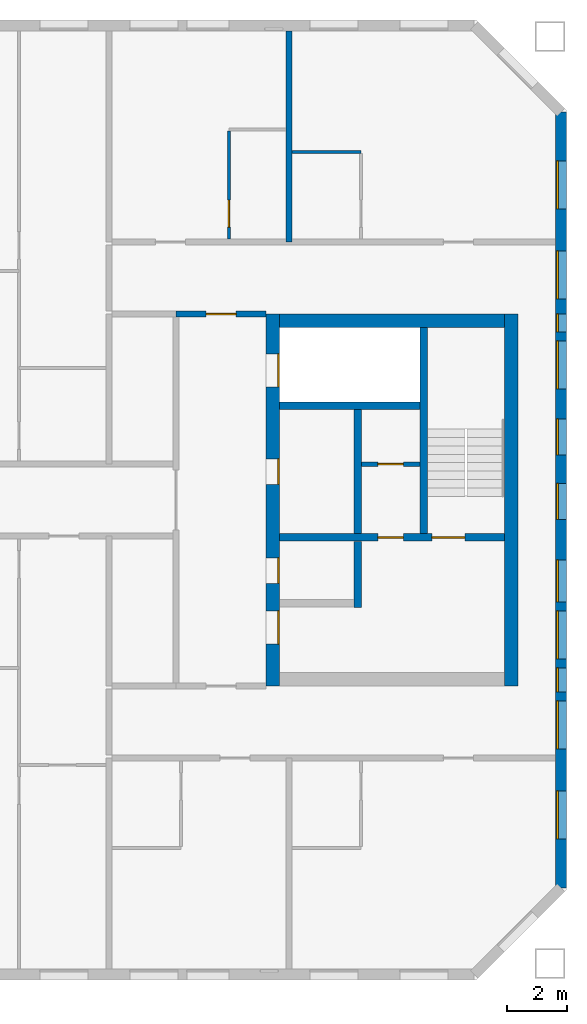
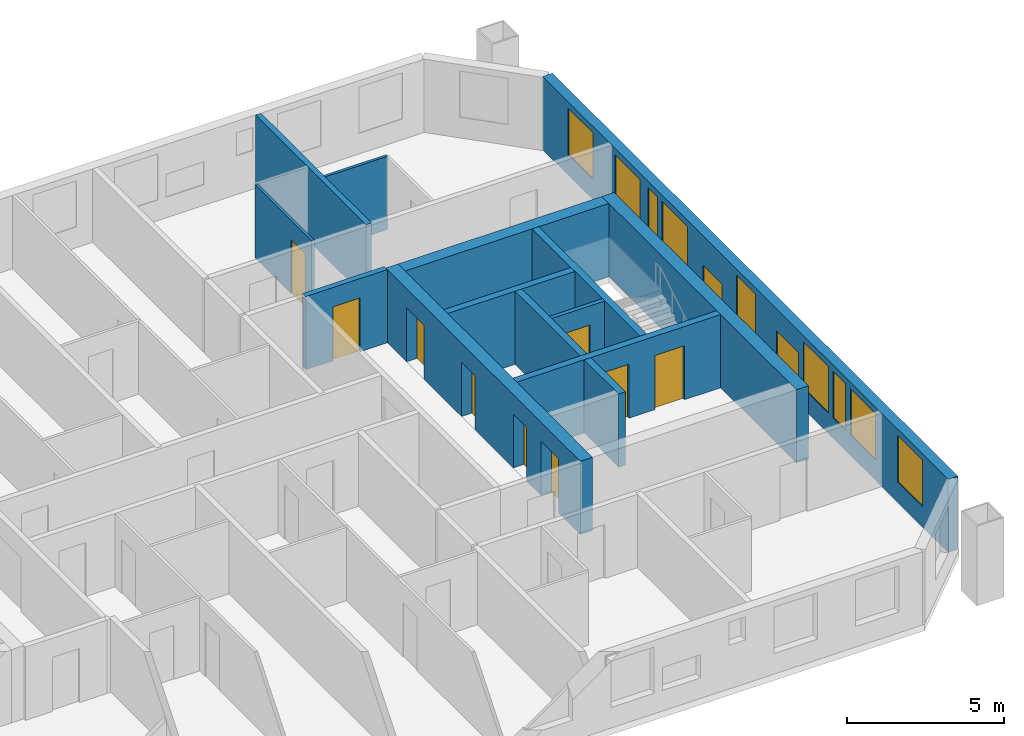
# One storey, part 13 of 16: 14 walls, 11 windows, 9 doors, 20 openings.
"""IFC4 building model written with IfcOpenShell, lengths in metres."""

import ifcopenshell
import ifcopenshell.guid

model = None  # the IFC model being written
_history = None  # IfcOwnerHistory: only IFC2X3 demands one
_inside = {}  # id of a spatial element -> (the spatial element, [elements in it])
_under = {}  # id of a project, library or spatial element -> (it, [spatial elements below it])
_declared = {}  # id of a project -> (the project, [libraries it declares])
_typed = {}  # id of a type object -> (the type object, [elements of that type])
_made_of = {}  # id of a material, layer set ... -> (it, [elements and type objects made of it])


def new_model(schema):
    """Start an empty IFC model of exactly this schema.

    Asked for "IFC4X3", IfcOpenShell would pick the latest addendum, in which some entities
    have other attributes; the version numbers below select the first issue.
    IFC2X3 requires an IfcOwnerHistory on every rooted entity: one is made here for all.
    """
    global model, _history
    if schema == "IFC4X3":
        model = ifcopenshell.file(schema_version=(4, 3, 0, 0))
    else:
        model = ifcopenshell.file(schema=schema)
    _inside.clear()
    _under.clear()
    _declared.clear()
    _typed.clear()
    _made_of.clear()
    _history = None
    if model.schema == "IFC2X3":
        org = make("IfcOrganization", Name="unknown")
        user = make(
            "IfcPersonAndOrganization",
            ThePerson=make("IfcPerson", FamilyName="unknown"),
            TheOrganization=org,
        )
        app = make(
            "IfcApplication",
            ApplicationDeveloper=org,
            Version="unknown",
            ApplicationFullName="unknown",
            ApplicationIdentifier="unknown",
        )
        _history = make(
            "IfcOwnerHistory",
            OwningUser=user,
            OwningApplication=app,
            ChangeAction="ADDED",
            CreationDate=0,
        )
    return model


def make(cls, **values):
    """One entity of the class cls with the attributes given. An attribute that is None is left unset."""
    return model.create_entity(
        cls, **{name: value for name, value in values.items() if value is not None}
    )


def rooted(cls, **values):
    """An entity with a GlobalId (a new one), such as an element, a storey or a relation."""
    return make(cls, GlobalId=ifcopenshell.guid.new(), OwnerHistory=_history, **values)


def si_unit(unit_type, name, prefix=None):
    """IfcSIUnit, for example si_unit("LENGTHUNIT", "METRE", prefix="MILLI")."""
    return make("IfcSIUnit", UnitType=unit_type, Prefix=prefix, Name=name)


def assignment(units):
    """IfcUnitAssignment: the units of a project."""
    return None if units is None else make("IfcUnitAssignment", Units=units)


def point(xyz):
    """IfcCartesianPoint."""
    return None if xyz is None else make("IfcCartesianPoint", Coordinates=xyz)


def direction(xyz):
    """IfcDirection."""
    return None if xyz is None else make("IfcDirection", DirectionRatios=xyz)


def frame(location, z_axis=None, x_axis=None):
    """IfcAxis2Placement3D, a coordinate frame: its origin and axes. An axis left out is left unset."""
    return make(
        "IfcAxis2Placement3D",
        Location=point(location),
        Axis=direction(z_axis),
        RefDirection=direction(x_axis),
    )


def frame_2d(location, x_axis=None):
    """IfcAxis2Placement2D, a coordinate frame in the plane: its origin and x axis."""
    return make(
        "IfcAxis2Placement2D", Location=point(location), RefDirection=direction(x_axis)
    )


def origin():
    """The frame at (0, 0, 0) with its axes left unset."""
    return frame((0.0, 0.0, 0.0))


def place(relative_to, where):
    """IfcLocalPlacement: puts the frame where relative to a parent placement (None: the world)."""
    return make(
        "IfcLocalPlacement", PlacementRelTo=relative_to, RelativePlacement=where
    )


def context(
    kind, dimensions, precision=None, world=None, true_north=None, identifier=None
):
    """IfcGeometricRepresentationContext, for example the 3D "Model" context."""
    return make(
        "IfcGeometricRepresentationContext",
        ContextIdentifier=identifier,
        ContextType=kind,
        CoordinateSpaceDimension=dimensions,
        Precision=precision,
        WorldCoordinateSystem=world,
        TrueNorth=true_north,
    )


def subcontext(parent, identifier, kind, view, scale=None):
    """IfcGeometricRepresentationSubContext, for example "Body" below "Model"."""
    return make(
        "IfcGeometricRepresentationSubContext",
        ContextIdentifier=identifier,
        ContextType=kind,
        ParentContext=parent,
        TargetScale=scale,
        TargetView=view,
    )


def project(units=None, contexts=None):
    """IfcProject with its units and contexts."""
    return rooted(
        "IfcProject",
        Name="project",
        RepresentationContexts=contexts,
        UnitsInContext=assignment(units),
    )


def spatial(cls, under=None, at=None, **own):
    """A site, building, storey or space (cls), placed at a placement, below another one or the project."""
    s = rooted(cls, ObjectPlacement=at, **own)
    if under is not None:
        _under.setdefault(under.id(), (under, []))[1].append(s)
    return s


def profile(cls, at=None, kind="AREA", **sizes):
    """A parametric profile (cls). Its sizes go by their IFC names, for example OverallWidth=200.0."""
    return make(cls, ProfileType=kind, Position=at, **sizes)


def rectangle(**sizes):
    """IfcRectangleProfileDef."""
    return profile("IfcRectangleProfileDef", **sizes)


def extrude(swept, where, along, depth):
    """IfcExtrudedAreaSolid: the profile swept, set in the frame where, extruded along a direction by depth."""
    return make(
        "IfcExtrudedAreaSolid",
        SweptArea=swept,
        Position=where,
        ExtrudedDirection=direction(along),
        Depth=depth,
    )


def shape(context_of_items, identifier, shape_type, items):
    """IfcShapeRepresentation: the items that make up one representation, for example the "Body"."""
    return make(
        "IfcShapeRepresentation",
        ContextOfItems=context_of_items,
        RepresentationIdentifier=identifier,
        RepresentationType=shape_type,
        Items=items,
    )


def material(Name=None, Category=None):
    """IfcMaterial."""
    return make("IfcMaterial", Name=Name, Category=Category)


def layer(
    of_material, thickness, ventilated=None, Name=None, Category=None, Priority=None
):
    """IfcMaterialLayer: one layer of a wall or slab, of a material (None: an air gap)."""
    return make(
        "IfcMaterialLayer",
        Material=of_material,
        LayerThickness=thickness,
        IsVentilated=ventilated,
        Name=Name,
        Category=Category,
        Priority=Priority,
    )


def layer_set(layers, Name=None):
    """IfcMaterialLayerSet."""
    return make("IfcMaterialLayerSet", MaterialLayers=layers, LayerSetName=Name)


def made_of(thing, what):
    """Note that an element or type object is made of a material, layer set ...; save() writes the relation."""
    if what is not None:
        _made_of.setdefault(what.id(), (what, []))[1].append(thing)
    return thing


def type_object(cls, material=None, **own):
    """A type object (cls), such as IfcWallType, which elements share."""
    return made_of(rooted(cls, **own), material)


def element(
    cls,
    number,
    at=None,
    inside=None,
    cuts=None,
    type_object=None,
    material=None,
    context=None,
    identifier="Body",
    shape_type=None,
    held_by="IfcProductDefinitionShape",
    body=None,
    shapes=None,
    **own,
):
    """One element of the class cls, such as IfcWall. Its Tag is "e" and its number.

    at: its placement. inside: the storey or other place that contains it. cuts: it is an
    opening in that element (IfcRelVoidsElement). A single representation is given by context,
    identifier, shape_type and body (its items); several are given by shapes. held_by: the class
    of the entity that holds the representations. save() writes the other relations.
    """
    e = rooted(cls, Tag="e%d" % number, ObjectPlacement=at, **own)
    if body is not None:
        shapes = [shape(context, identifier, shape_type, body)]
    if shapes is not None:
        e.Representation = make(held_by, Representations=shapes)
    if inside is not None:
        _inside.setdefault(inside.id(), (inside, []))[1].append(e)
    if cuts is not None:
        rooted(
            "IfcRelVoidsElement", RelatingBuildingElement=cuts, RelatedOpeningElement=e
        )
    if type_object is not None:
        _typed.setdefault(type_object.id(), (type_object, []))[1].append(e)
    return made_of(e, material)


def fill(opening, filler):
    """IfcRelFillsElement: the door or window that sits in an opening."""
    return rooted(
        "IfcRelFillsElement",
        RelatingOpeningElement=opening,
        RelatedBuildingElement=filler,
    )


def aggregate(whole, parts):
    """IfcRelAggregates: a whole, such as a stair, and the parts it consists of."""
    return rooted("IfcRelAggregates", RelatingObject=whole, RelatedObjects=parts)


def save(model, path):
    """Write the relations noted so far, then the file.

    IfcRelAggregates (storeys below a building ...), IfcRelContainedInSpatialStructure (elements
    in a storey), IfcRelDefinesByType, IfcRelAssociatesMaterial and IfcRelDeclares: one each for
    every whole, place, type object, material and project.
    """
    for whole, parts in _under.values():
        aggregate(whole, parts)
    for where, things in _inside.values():
        rooted(
            "IfcRelContainedInSpatialStructure",
            RelatedElements=things,
            RelatingStructure=where,
        )
    for kind, things in _typed.values():
        rooted("IfcRelDefinesByType", RelatedObjects=things, RelatingType=kind)
    for what, things in _made_of.values():
        rooted("IfcRelAssociatesMaterial", RelatedObjects=things, RelatingMaterial=what)
    for by, libraries in _declared.values():
        rooted("IfcRelDeclares", RelatingContext=by, RelatedDefinitions=libraries)
    model.write(path)


model = new_model("IFC4")

# Units and contexts
model_context = context("Model", 3, precision=1e-05, world=origin(), true_north=direction((0.0, 1.0)))
body_context = subcontext(model_context, "Body", "Model", "MODEL_VIEW")
ifc_project = project(units=[si_unit("LENGTHUNIT", "METRE"), si_unit("AREAUNIT", "SQUARE_METRE"), si_unit("VOLUMEUNIT", "CUBIC_METRE"), si_unit("PLANEANGLEUNIT", "RADIAN"), si_unit("MASSUNIT", "GRAM", prefix="KILO")], contexts=[model_context])

# Site, building, storey
site_placement = place(None, origin())
site = spatial("IfcSite", under=ifc_project, at=site_placement, CompositionType="ELEMENT")
building_placement = place(site_placement, origin())
building = spatial("IfcBuilding", under=site, at=building_placement, Name="Tuart Gate Housing", CompositionType="ELEMENT")
storey_placement = place(building_placement, frame((0.0, 0.0, 182.0)))
storey = spatial("IfcBuildingStorey", under=building, at=storey_placement, Name="L51", CompositionType="ELEMENT", Elevation=182.0)

# Wall, openings, windows
ifc_material_1 = material(Name="Brick", Category="masonry")
ifc_layer_1 = layer(ifc_material_1, 0.360107421875)
ifc_layer_set_1 = layer_set([ifc_layer_1], Name="Brick pier and spandrel wall 360")
wall_type_1 = type_object("IfcWallType", Name="Brick pier and spandrel wall 360", PredefinedType="STANDARD", material=ifc_layer_set_1)
wall_1_placement = place(storey_placement, frame((170.070068359375, 57.07470703125, 0.0), z_axis=(0.0, 0.0, 1.0), x_axis=(0.0, 1.0, 0.0)))
wall_1 = element("IfcWall", 1, at=wall_1_placement, inside=storey, type_object=wall_type_1, Name="External wall B-E L51", PredefinedType="STANDARD", context=body_context, shape_type="SweptSolid", body=[
    extrude(rectangle(XDim=25.850830078125, YDim=0.360107421875, at=frame_2d((12.92529296875, 0.0))), origin(), (0.0, 0.0, 1.0), 2.85009765625),
])
opening_1_placement = place(wall_1_placement, frame((1.62548828125, 0.0, 0.800048828125)))
opening_1 = element("IfcOpeningElement", 2, at=opening_1_placement, cuts=wall_1, Name="Opening W1", PredefinedType="OPENING", context=body_context, shape_type="SweptSolid", body=[
    extrude(rectangle(XDim=1.60009765625, YDim=1.800048828125, at=frame_2d((0.800048828125, 0.89990234375))), frame((0.0, 0.18994140625, 0.0), z_axis=(0.0, -1.0, 0.0), x_axis=(1.0, 0.0, 0.0)), (0.0, 0.0, 1.0), 0.380126953125),
])
opening_2_placement = place(wall_1_placement, frame((4.62548828125, 0.0, 0.800048828125)))
opening_2 = element("IfcOpeningElement", 3, at=opening_2_placement, cuts=wall_1, Name="Opening W1", PredefinedType="OPENING", context=body_context, shape_type="SweptSolid", body=[
    extrude(rectangle(XDim=1.60009765625, YDim=1.800048828125, at=frame_2d((0.800048828125, 0.89990234375))), frame((0.0, 0.18994140625, 0.0), z_axis=(0.0, -1.0, 0.0), x_axis=(1.0, 0.0, 0.0)), (0.0, 0.0, 1.0), 0.380126953125),
])
opening_3_placement = place(wall_1_placement, frame((7.62548828125, 0.0, 0.800048828125)))
opening_3 = element("IfcOpeningElement", 4, at=opening_3_placement, cuts=wall_1, Name="Opening W1", PredefinedType="OPENING", context=body_context, shape_type="SweptSolid", body=[
    extrude(rectangle(XDim=1.60009765625, YDim=1.800048828125, at=frame_2d((0.800048828125, 0.89990234375))), frame((0.0, 0.18994140625, 0.0), z_axis=(0.0, -1.0, 0.0), x_axis=(1.0, 0.0, 0.0)), (0.0, 0.0, 1.0), 0.380126953125),
])
opening_4_placement = place(wall_1_placement, frame((6.525390625, 0.0, 0.800048828125)))
opening_4 = element("IfcOpeningElement", 5, at=opening_4_placement, cuts=wall_1, Name="Opening W1D", PredefinedType="OPENING", context=body_context, shape_type="SweptSolid", body=[
    extrude(rectangle(XDim=0.800048828125, YDim=1.800048828125, at=frame_2d((0.39990234375, 0.89990234375))), frame((0.0, 0.18994140625, 0.0), z_axis=(0.0, -1.0, 0.0), x_axis=(1.0, 0.0, 0.0)), (0.0, 0.0, 1.0), 0.380126953125),
])
opening_5_placement = place(wall_1_placement, frame((9.525390625, 0.0, 0.800048828125)))
opening_5 = element("IfcOpeningElement", 6, at=opening_5_placement, cuts=wall_1, Name="Opening W1M", PredefinedType="OPENING", context=body_context, shape_type="SweptSolid", body=[
    extrude(rectangle(XDim=1.39990234375, YDim=1.199951171875, at=frame_2d((0.699951171875, 0.60009765625))), frame((0.0, 0.18994140625, 0.0), z_axis=(0.0, -1.0, 0.0), x_axis=(1.0, 0.0, 0.0)), (0.0, 0.0, 1.0), 0.380126953125),
])
opening_6_placement = place(wall_1_placement, frame((16.62548828125, 0.0, 0.800048828125)))
opening_6 = element("IfcOpeningElement", 7, at=opening_6_placement, cuts=wall_1, Name="Opening W1", PredefinedType="OPENING", context=body_context, shape_type="SweptSolid", body=[
    extrude(rectangle(XDim=1.60009765625, YDim=1.800048828125, at=frame_2d((0.800048828125, 0.89990234375))), frame((0.0, 0.18994140625, 0.0), z_axis=(0.0, -1.0, 0.0), x_axis=(1.0, 0.0, 0.0)), (0.0, 0.0, 1.0), 0.380126953125),
])
opening_7_placement = place(wall_1_placement, frame((19.62548828125, 0.0, 0.800048828125)))
opening_7 = element("IfcOpeningElement", 8, at=opening_7_placement, cuts=wall_1, Name="Opening W1", PredefinedType="OPENING", context=body_context, shape_type="SweptSolid", body=[
    extrude(rectangle(XDim=1.60009765625, YDim=1.800048828125, at=frame_2d((0.800048828125, 0.89990234375))), frame((0.0, 0.18994140625, 0.0), z_axis=(0.0, -1.0, 0.0), x_axis=(1.0, 0.0, 0.0)), (0.0, 0.0, 1.0), 0.380126953125),
])
opening_8_placement = place(wall_1_placement, frame((22.62548828125, 0.0, 0.800048828125)))
opening_8 = element("IfcOpeningElement", 9, at=opening_8_placement, cuts=wall_1, Name="Opening W1", PredefinedType="OPENING", context=body_context, shape_type="SweptSolid", body=[
    extrude(rectangle(XDim=1.60009765625, YDim=1.800048828125, at=frame_2d((0.800048828125, 0.89990234375))), frame((0.0, 0.18994140625, 0.0), z_axis=(0.0, -1.0, 0.0), x_axis=(1.0, 0.0, 0.0)), (0.0, 0.0, 1.0), 0.380126953125),
])
opening_9_placement = place(wall_1_placement, frame((12.275390625, 0.0, 0.800048828125)))
opening_9 = element("IfcOpeningElement", 10, at=opening_9_placement, cuts=wall_1, Name="Opening W1B", PredefinedType="OPENING", context=body_context, shape_type="SweptSolid", body=[
    extrude(rectangle(XDim=1.199951171875, YDim=1.800048828125, at=frame_2d((0.60009765625, 0.89990234375))), frame((0.0, 0.18994140625, 0.0), z_axis=(0.0, -1.0, 0.0), x_axis=(1.0, 0.0, 0.0)), (0.0, 0.0, 1.0), 0.380126953125),
])
opening_10_placement = place(wall_1_placement, frame((14.42529296875, 0.0, 0.800048828125)))
opening_10 = element("IfcOpeningElement", 11, at=opening_10_placement, cuts=wall_1, Name="Opening W1T", PredefinedType="OPENING", context=body_context, shape_type="SweptSolid", body=[
    extrude(rectangle(XDim=1.199951171875, YDim=0.89990234375, at=frame_2d((0.60009765625, 0.449951171875))), frame((0.0, 0.18994140625, 0.0), z_axis=(0.0, -1.0, 0.0), x_axis=(1.0, 0.0, 0.0)), (0.0, 0.0, 1.0), 0.380126953125),
])
opening_11_placement = place(wall_1_placement, frame((18.525390625, 0.0, 0.800048828125)))
opening_11 = element("IfcOpeningElement", 12, at=opening_11_placement, cuts=wall_1, Name="Opening W1E", PredefinedType="OPENING", context=body_context, shape_type="SweptSolid", body=[
    extrude(rectangle(XDim=0.60009765625, YDim=1.800048828125, at=frame_2d((0.300048828125, 0.89990234375))), frame((0.0, 0.18994140625, 0.0), z_axis=(0.0, -1.0, 0.0), x_axis=(1.0, 0.0, 0.0)), (0.0, 0.0, 1.0), 0.380126953125),
])
ifc_material_2 = material(Name="Aluminium frame with clear glass", Category="aluminium")
window_type_1 = type_object("IfcWindowType", Name="Punched window 1200 x 1800", PartitioningType="SINGLE_PANEL", PredefinedType="WINDOW", material=ifc_material_2)
window_1_placement = place(opening_9_placement, origin())
window_1 = element("IfcWindow", 13, at=window_1_placement, inside=storey, type_object=window_type_1, Name="Window W1B", OverallHeight=1.800048828125, OverallWidth=1.199951171875, PartitioningType="SINGLE_PANEL", PredefinedType="WINDOW", context=body_context, shape_type="SweptSolid", body=[
    extrude(rectangle(XDim=1.199951171875, YDim=1.800048828125, at=frame_2d((0.60009765625, 0.89990234375))), frame((0.0, 0.150146484375, 0.0), z_axis=(0.0, -1.0, 0.0), x_axis=(1.0, 0.0, 0.0)), (0.0, 0.0, 1.0), 0.06005859375),
])
fill(opening_9, window_1)
ifc_material_3 = material(Name="Aluminium frame with clear glass", Category="aluminium")
window_type_2 = type_object("IfcWindowType", Name="Punched window 1200 x 900", PartitioningType="SINGLE_PANEL", PredefinedType="WINDOW", material=ifc_material_3)
window_2_placement = place(opening_10_placement, origin())
window_2 = element("IfcWindow", 14, at=window_2_placement, inside=storey, type_object=window_type_2, Name="Window W1T", OverallHeight=0.89990234375, OverallWidth=1.199951171875, PartitioningType="SINGLE_PANEL", PredefinedType="WINDOW", context=body_context, shape_type="SweptSolid", body=[
    extrude(rectangle(XDim=1.199951171875, YDim=0.89990234375, at=frame_2d((0.60009765625, 0.449951171875))), frame((0.0, 0.150146484375, 0.0), z_axis=(0.0, -1.0, 0.0), x_axis=(1.0, 0.0, 0.0)), (0.0, 0.0, 1.0), 0.06005859375),
])
fill(opening_10, window_2)
ifc_material_4 = material(Name="Aluminium frame with clear glass", Category="aluminium")
window_type_3 = type_object("IfcWindowType", Name="Punched window 1400 x 1200", PartitioningType="SINGLE_PANEL", PredefinedType="WINDOW", material=ifc_material_4)
window_3_placement = place(opening_5_placement, origin())
window_3 = element("IfcWindow", 15, at=window_3_placement, inside=storey, type_object=window_type_3, Name="Window W1M", OverallHeight=1.199951171875, OverallWidth=1.39990234375, PartitioningType="SINGLE_PANEL", PredefinedType="WINDOW", context=body_context, shape_type="SweptSolid", body=[
    extrude(rectangle(XDim=1.39990234375, YDim=1.199951171875, at=frame_2d((0.699951171875, 0.60009765625))), frame((0.0, 0.150146484375, 0.0), z_axis=(0.0, -1.0, 0.0), x_axis=(1.0, 0.0, 0.0)), (0.0, 0.0, 1.0), 0.06005859375),
])
fill(opening_5, window_3)
ifc_material_5 = material(Name="Aluminium frame with clear glass", Category="aluminium")
window_type_4 = type_object("IfcWindowType", Name="Punched window 1600 x 1800", PartitioningType="SINGLE_PANEL", PredefinedType="WINDOW", material=ifc_material_5)
window_4_placement = place(opening_1_placement, origin())
window_4 = element("IfcWindow", 16, at=window_4_placement, inside=storey, type_object=window_type_4, Name="Window W1", OverallHeight=1.800048828125, OverallWidth=1.60009765625, PartitioningType="SINGLE_PANEL", PredefinedType="WINDOW", context=body_context, shape_type="SweptSolid", body=[
    extrude(rectangle(XDim=1.60009765625, YDim=1.800048828125, at=frame_2d((0.800048828125, 0.89990234375))), frame((0.0, 0.150146484375, 0.0), z_axis=(0.0, -1.0, 0.0), x_axis=(1.0, 0.0, 0.0)), (0.0, 0.0, 1.0), 0.06005859375),
])
fill(opening_1, window_4)
window_5_placement = place(opening_2_placement, origin())
window_5 = element("IfcWindow", 17, at=window_5_placement, inside=storey, type_object=window_type_4, Name="Window W1", OverallHeight=1.800048828125, OverallWidth=1.60009765625, PartitioningType="SINGLE_PANEL", PredefinedType="WINDOW", context=body_context, shape_type="SweptSolid", body=[
    extrude(rectangle(XDim=1.60009765625, YDim=1.800048828125, at=frame_2d((0.800048828125, 0.89990234375))), frame((0.0, 0.150146484375, 0.0), z_axis=(0.0, -1.0, 0.0), x_axis=(1.0, 0.0, 0.0)), (0.0, 0.0, 1.0), 0.06005859375),
])
fill(opening_2, window_5)
window_6_placement = place(opening_3_placement, origin())
window_6 = element("IfcWindow", 18, at=window_6_placement, inside=storey, type_object=window_type_4, Name="Window W1", OverallHeight=1.800048828125, OverallWidth=1.60009765625, PartitioningType="SINGLE_PANEL", PredefinedType="WINDOW", context=body_context, shape_type="SweptSolid", body=[
    extrude(rectangle(XDim=1.60009765625, YDim=1.800048828125, at=frame_2d((0.800048828125, 0.89990234375))), frame((0.0, 0.150146484375, 0.0), z_axis=(0.0, -1.0, 0.0), x_axis=(1.0, 0.0, 0.0)), (0.0, 0.0, 1.0), 0.06005859375),
])
fill(opening_3, window_6)
window_7_placement = place(opening_6_placement, origin())
window_7 = element("IfcWindow", 19, at=window_7_placement, inside=storey, type_object=window_type_4, Name="Window W1", OverallHeight=1.800048828125, OverallWidth=1.60009765625, PartitioningType="SINGLE_PANEL", PredefinedType="WINDOW", context=body_context, shape_type="SweptSolid", body=[
    extrude(rectangle(XDim=1.60009765625, YDim=1.800048828125, at=frame_2d((0.800048828125, 0.89990234375))), frame((0.0, 0.150146484375, 0.0), z_axis=(0.0, -1.0, 0.0), x_axis=(1.0, 0.0, 0.0)), (0.0, 0.0, 1.0), 0.06005859375),
])
fill(opening_6, window_7)
window_8_placement = place(opening_7_placement, origin())
window_8 = element("IfcWindow", 20, at=window_8_placement, inside=storey, type_object=window_type_4, Name="Window W1", OverallHeight=1.800048828125, OverallWidth=1.60009765625, PartitioningType="SINGLE_PANEL", PredefinedType="WINDOW", context=body_context, shape_type="SweptSolid", body=[
    extrude(rectangle(XDim=1.60009765625, YDim=1.800048828125, at=frame_2d((0.800048828125, 0.89990234375))), frame((0.0, 0.150146484375, 0.0), z_axis=(0.0, -1.0, 0.0), x_axis=(1.0, 0.0, 0.0)), (0.0, 0.0, 1.0), 0.06005859375),
])
fill(opening_7, window_8)
window_9_placement = place(opening_8_placement, origin())
window_9 = element("IfcWindow", 21, at=window_9_placement, inside=storey, type_object=window_type_4, Name="Window W1", OverallHeight=1.800048828125, OverallWidth=1.60009765625, PartitioningType="SINGLE_PANEL", PredefinedType="WINDOW", context=body_context, shape_type="SweptSolid", body=[
    extrude(rectangle(XDim=1.60009765625, YDim=1.800048828125, at=frame_2d((0.800048828125, 0.89990234375))), frame((0.0, 0.150146484375, 0.0), z_axis=(0.0, -1.0, 0.0), x_axis=(1.0, 0.0, 0.0)), (0.0, 0.0, 1.0), 0.06005859375),
])
fill(opening_8, window_9)
ifc_material_6 = material(Name="Aluminium frame with clear glass", Category="aluminium")
window_type_5 = type_object("IfcWindowType", Name="Punched window 600 x 1800", PartitioningType="SINGLE_PANEL", PredefinedType="WINDOW", material=ifc_material_6)
window_10_placement = place(opening_11_placement, origin())
window_10 = element("IfcWindow", 22, at=window_10_placement, inside=storey, type_object=window_type_5, Name="Window W1E", OverallHeight=1.800048828125, OverallWidth=0.60009765625, PartitioningType="SINGLE_PANEL", PredefinedType="WINDOW", context=body_context, shape_type="SweptSolid", body=[
    extrude(rectangle(XDim=0.60009765625, YDim=1.800048828125, at=frame_2d((0.300048828125, 0.89990234375))), frame((0.0, 0.150146484375, 0.0), z_axis=(0.0, -1.0, 0.0), x_axis=(1.0, 0.0, 0.0)), (0.0, 0.0, 1.0), 0.06005859375),
])
fill(opening_11, window_10)
ifc_material_7 = material(Name="Aluminium frame with clear glass", Category="aluminium")
window_type_6 = type_object("IfcWindowType", Name="Punched window 800 x 1800", PartitioningType="SINGLE_PANEL", PredefinedType="WINDOW", material=ifc_material_7)
window_11_placement = place(opening_4_placement, origin())
window_11 = element("IfcWindow", 23, at=window_11_placement, inside=storey, type_object=window_type_6, Name="Window W1D", OverallHeight=1.800048828125, OverallWidth=0.800048828125, PartitioningType="SINGLE_PANEL", PredefinedType="WINDOW", context=body_context, shape_type="SweptSolid", body=[
    extrude(rectangle(XDim=0.800048828125, YDim=1.800048828125, at=frame_2d((0.39990234375, 0.89990234375))), frame((0.0, 0.150146484375, 0.0), z_axis=(0.0, -1.0, 0.0), x_axis=(1.0, 0.0, 0.0)), (0.0, 0.0, 1.0), 0.06005859375),
])
fill(opening_4, window_11)

# Wall, opening, door
ifc_material_8 = material(Name="Plasterboard partition")
ifc_layer_2 = layer(ifc_material_8, 0.14990234375)
ifc_layer_set_2 = layer_set([ifc_layer_2], Name="Core partition 150")
wall_type_2 = type_object("IfcWallType", Name="Core partition 150", PredefinedType="PARTITIONING", material=ifc_layer_set_2)
wall_2_placement = place(storey_placement, frame((163.4150390625, 71.199951171875, 0.0), z_axis=(0.0, 0.0, 1.0), x_axis=(1.0, 0.0, 0.0)))
wall_2 = element("IfcWall", 24, at=wall_2_placement, inside=storey, type_object=wall_type_2, Name="Core partition BK.2", PredefinedType="PARTITIONING", context=body_context, shape_type="SweptSolid", body=[
    extrude(rectangle(XDim=1.949951171875, YDim=0.14990234375, at=frame_2d((0.97509765625, 0.0))), origin(), (0.0, 0.0, 1.0), 2.85009765625),
])
opening_12_placement = place(wall_2_placement, frame((0.550048828125, 0.0, 0.0)))
opening_12 = element("IfcOpeningElement", 25, at=opening_12_placement, cuts=wall_2, Name="Opening D1812", PredefinedType="OPENING", context=body_context, shape_type="SweptSolid", body=[
    extrude(rectangle(XDim=0.85009765625, YDim=2.10009765625, at=frame_2d((0.425048828125, 1.050048828125))), frame((0.0, 0.0849609375, 0.0), z_axis=(0.0, -1.0, 0.0), x_axis=(1.0, 0.0, 0.0)), (0.0, 0.0, 1.0), 0.169921875),
])
ifc_material_9 = material(Name="Steel fire door", Category="steel")
door_type_1 = type_object("IfcDoorType", Name="Service door 850 x 2100 RH", OperationType="SINGLE_SWING_RIGHT", PredefinedType="DOOR", material=ifc_material_9)
door_1_placement = place(opening_12_placement, frame((0.85009765625, 0.0, 0.0), z_axis=(0.0, 0.0, 1.0), x_axis=(-1.0, 0.0, 0.0)))
door_1 = element("IfcDoor", 26, at=door_1_placement, inside=storey, type_object=door_type_1, Name="Service room door BK.W2", OperationType="SINGLE_SWING_RIGHT", OverallHeight=2.10009765625, OverallWidth=0.85009765625, PredefinedType="DOOR", context=body_context, shape_type="SweptSolid", body=[
    extrude(rectangle(XDim=0.85009765625, YDim=2.10009765625, at=frame_2d((0.425048828125, 1.050048828125))), frame((0.0, 0.025146484375, 0.0), z_axis=(0.0, -1.0, 0.0), x_axis=(1.0, 0.0, 0.0)), (0.0, 0.0, 1.0), 0.050048828125),
])
fill(opening_12, door_1)

# Wall
ifc_material_10 = material(Name="Concrete C40", Category="concrete")
ifc_layer_3 = layer(ifc_material_10, 0.25)
ifc_layer_set_3 = layer_set([ifc_layer_3], Name="Core wall 250 C40")
wall_type_3 = type_object("IfcWallType", Name="Core wall 250 C40", PredefinedType="SHEAR", material=ifc_layer_set_3)
wall_3_placement = place(storey_placement, frame((160.68994140625, 73.14990234375, 0.0), z_axis=(0.0, 0.0, 1.0), x_axis=(1.0, 0.0, 0.0)))
element("IfcWall", 27, at=wall_3_placement, inside=storey, type_object=wall_type_3, Name="Core wall BK.1", PredefinedType="SHEAR", context=body_context, shape_type="SweptSolid", body=[
    extrude(rectangle(XDim=4.675048828125, YDim=0.25, at=frame_2d((2.33740234375, 0.0))), origin(), (0.0, 0.0, 1.0), 2.85009765625),
])

# Wall, openings, doors
wall_4_placement = place(storey_placement, frame((160.68994140625, 68.75, 0.0), z_axis=(0.0, 0.0, 1.0), x_axis=(1.0, 0.0, 0.0)))
wall_4 = element("IfcWall", 28, at=wall_4_placement, inside=storey, type_object=wall_type_3, Name="Core wall BK.3", PredefinedType="SHEAR", context=body_context, shape_type="SweptSolid", body=[
    extrude(rectangle(XDim=7.5, YDim=0.25, at=frame_2d((3.75, 0.0))), origin(), (0.0, 0.0, 1.0), 2.85009765625),
])
opening_13_placement = place(wall_4_placement, frame((5.074951171875, 0.0, 0.0)))
opening_13 = element("IfcOpeningElement", 29, at=opening_13_placement, cuts=wall_4, Name="Opening D1823", PredefinedType="OPENING", context=body_context, shape_type="SweptSolid", body=[
    extrude(rectangle(XDim=1.10009765625, YDim=2.10009765625, at=frame_2d((0.550048828125, 1.050048828125))), frame((0.0, 0.135009765625, 0.0), z_axis=(0.0, -1.0, 0.0), x_axis=(1.0, 0.0, 0.0)), (0.0, 0.0, 1.0), 0.27001953125),
])
opening_14_placement = place(wall_4_placement, frame((3.27490234375, 0.0, 0.0)))
opening_14 = element("IfcOpeningElement", 30, at=opening_14_placement, cuts=wall_4, Name="Opening D1822", PredefinedType="OPENING", context=body_context, shape_type="SweptSolid", body=[
    extrude(rectangle(XDim=0.85009765625, YDim=2.10009765625, at=frame_2d((0.425048828125, 1.050048828125))), frame((0.0, 0.135009765625, 0.0), z_axis=(0.0, -1.0, 0.0), x_axis=(1.0, 0.0, 0.0)), (0.0, 0.0, 1.0), 0.27001953125),
])
ifc_material_11 = material(Name="Steel fire door", Category="steel")
door_type_2 = type_object("IfcDoorType", Name="Riser door 850 x 2100", OperationType="SINGLE_SWING_LEFT", PredefinedType="DOOR", material=ifc_material_11)
door_2_placement = place(opening_14_placement, origin())
door_2 = element("IfcDoor", 31, at=door_2_placement, inside=storey, type_object=door_type_2, Name="Service room door BK.W1", OperationType="SINGLE_SWING_LEFT", OverallHeight=2.10009765625, OverallWidth=0.85009765625, PredefinedType="DOOR", context=body_context, shape_type="SweptSolid", body=[
    extrude(rectangle(XDim=0.85009765625, YDim=2.10009765625, at=frame_2d((0.425048828125, 1.050048828125))), frame((0.0, 0.02490234375, 0.0), z_axis=(0.0, -1.0, 0.0), x_axis=(1.0, 0.0, 0.0)), (0.0, 0.0, 1.0), 0.050048828125),
])
fill(opening_14, door_2)
ifc_material_12 = material(Name="Steel fire door", Category="steel")
door_type_3 = type_object("IfcDoorType", Name="Stair door 1100 x 2100", OperationType="SINGLE_SWING_LEFT", PredefinedType="DOOR", material=ifc_material_12)
door_3_placement = place(opening_13_placement, origin())
door_3 = element("IfcDoor", 32, at=door_3_placement, inside=storey, type_object=door_type_3, Name="Stair door BK.SD", OperationType="SINGLE_SWING_LEFT", OverallHeight=2.10009765625, OverallWidth=1.10009765625, PredefinedType="DOOR", context=body_context, shape_type="SweptSolid", body=[
    extrude(rectangle(XDim=1.10009765625, YDim=2.10009765625, at=frame_2d((0.550048828125, 1.050048828125))), frame((0.0, 0.02490234375, 0.0), z_axis=(0.0, -1.0, 0.0), x_axis=(1.0, 0.0, 0.0)), (0.0, 0.0, 1.0), 0.050048828125),
])
fill(opening_13, door_3)

# Walls
wall_5_placement = place(storey_placement, frame((163.2900390625, 73.02490234375, 0.0), z_axis=(0.0, 0.0, 1.0), x_axis=(0.0, -1.0, 0.0)))
element("IfcWall", 33, at=wall_5_placement, inside=storey, type_object=wall_type_3, Name="Core wall BK.5", PredefinedType="SHEAR", context=body_context, shape_type="SweptSolid", body=[
    extrude(rectangle(XDim=4.14990234375, YDim=0.25, at=frame_2d((2.074951171875, 0.0))), origin(), (0.0, 0.0, 1.0), 2.85009765625),
])
wall_6_placement = place(storey_placement, frame((163.2900390625, 68.625, 0.0), z_axis=(0.0, 0.0, 1.0), x_axis=(0.0, -1.0, 0.0)))
element("IfcWall", 34, at=wall_6_placement, inside=storey, type_object=wall_type_3, Name="Core wall BK.6", PredefinedType="SHEAR", context=body_context, shape_type="SweptSolid", body=[
    extrude(rectangle(XDim=2.199951171875, YDim=0.25, at=frame_2d((1.10009765625, 0.0))), origin(), (0.0, 0.0, 1.0), 2.85009765625),
])
wall_7_placement = place(storey_placement, frame((165.489990234375, 75.75, 0.0), z_axis=(0.0, 0.0, 1.0), x_axis=(0.0, -1.0, 0.0)))
element("IfcWall", 35, at=wall_7_placement, inside=storey, type_object=wall_type_3, Name="Core wall BK.7", PredefinedType="SHEAR", context=body_context, shape_type="SweptSolid", body=[
    extrude(rectangle(XDim=6.875, YDim=0.25, at=frame_2d((3.4375, 0.0))), origin(), (0.0, 0.0, 1.0), 2.85009765625),
])

# Wall, openings, doors
ifc_material_13 = material(Name="Concrete C40", Category="concrete")
ifc_layer_4 = layer(ifc_material_13, 0.449951171875)
ifc_layer_set_4 = layer_set([ifc_layer_4], Name="Core wall 450 C40")
wall_type_4 = type_object("IfcWallType", Name="Core wall 450 C40", PredefinedType="SHEAR", material=ifc_layer_set_4)
wall_8_placement = place(storey_placement, frame((160.465087890625, 76.199951171875, 0.0), z_axis=(0.0, 0.0, 1.0), x_axis=(0.0, -1.0, 0.0)))
wall_8 = element("IfcWall", 36, at=wall_8_placement, inside=storey, type_object=wall_type_4, Name="Core wall BK front", PredefinedType="SHEAR", context=body_context, shape_type="SweptSolid", body=[
    extrude(rectangle(XDim=12.39990234375, YDim=0.449951171875, at=frame_2d((6.199951171875, 0.0))), origin(), (0.0, 0.0, 1.0), 2.85009765625),
])
opening_15_placement = place(wall_8_placement, frame((1.324951171875, 0.0, 0.0)))
opening_15 = element("IfcOpeningElement", 37, at=opening_15_placement, cuts=wall_8, Name="Opening LD-FB2", PredefinedType="OPENING", context=body_context, shape_type="SweptSolid", body=[
    extrude(rectangle(XDim=1.10009765625, YDim=2.10009765625, at=frame_2d((0.550048828125, 1.050048828125))), frame((0.0, 0.23486328125, 0.0), z_axis=(0.0, -1.0, 0.0), x_axis=(1.0, 0.0, 0.0)), (0.0, 0.0, 1.0), 0.469970703125),
])
opening_16_placement = place(wall_8_placement, frame((4.824951171875, 0.0, 0.0)))
opening_16 = element("IfcOpeningElement", 38, at=opening_16_placement, cuts=wall_8, Name="Opening D1818", PredefinedType="OPENING", context=body_context, shape_type="SweptSolid", body=[
    extrude(rectangle(XDim=0.85009765625, YDim=2.10009765625, at=frame_2d((0.425048828125, 1.050048828125))), frame((0.0, 0.23486328125, 0.0), z_axis=(0.0, -1.0, 0.0), x_axis=(1.0, 0.0, 0.0)), (0.0, 0.0, 1.0), 0.469970703125),
])
opening_17_placement = place(wall_8_placement, frame((9.89990234375, 0.0, 0.0)))
opening_17 = element("IfcOpeningElement", 39, at=opening_17_placement, cuts=wall_8, Name="Opening D1817", PredefinedType="OPENING", context=body_context, shape_type="SweptSolid", body=[
    extrude(rectangle(XDim=1.10009765625, YDim=2.10009765625, at=frame_2d((0.550048828125, 1.050048828125))), frame((0.0, 0.23486328125, 0.0), z_axis=(0.0, -1.0, 0.0), x_axis=(1.0, 0.0, 0.0)), (0.0, 0.0, 1.0), 0.469970703125),
])
opening_18_placement = place(wall_8_placement, frame((8.125, 0.0, 0.0)))
opening_18 = element("IfcOpeningElement", 40, at=opening_18_placement, cuts=wall_8, Name="Opening D1819", PredefinedType="OPENING", context=body_context, shape_type="SweptSolid", body=[
    extrude(rectangle(XDim=0.85009765625, YDim=2.10009765625, at=frame_2d((0.425048828125, 1.050048828125))), frame((0.0, 0.23486328125, 0.0), z_axis=(0.0, -1.0, 0.0), x_axis=(1.0, 0.0, 0.0)), (0.0, 0.0, 1.0), 0.469970703125),
])
ifc_material_14 = material(Name="Stainless steel", Category="steel")
door_type_4 = type_object("IfcDoorType", Name="Landing door 1100 x 2100", OperationType="DOUBLE_DOOR_SLIDING", PredefinedType="DOOR", material=ifc_material_14)
door_4_placement = place(opening_15_placement, origin())
door_4 = element("IfcDoor", 41, at=door_4_placement, inside=storey, type_object=door_type_4, Name="Lift landing door FB2", OperationType="DOUBLE_DOOR_SLIDING", OverallHeight=2.10009765625, OverallWidth=1.10009765625, PredefinedType="DOOR", context=body_context, shape_type="SweptSolid", body=[
    extrude(rectangle(XDim=1.10009765625, YDim=2.10009765625, at=frame_2d((0.550048828125, 1.050048828125))), frame((0.0, 0.2099609375, 0.0), z_axis=(0.0, -1.0, 0.0), x_axis=(1.0, 0.0, 0.0)), (0.0, 0.0, 1.0), 0.050048828125),
])
fill(opening_15, door_4)
ifc_material_15 = material(Name="Steel fire door", Category="steel")
door_type_5 = type_object("IfcDoorType", Name="Lobby door 1100 x 2100", OperationType="SINGLE_SWING_LEFT", PredefinedType="DOOR", material=ifc_material_15)
door_5_placement = place(opening_17_placement, origin())
door_5 = element("IfcDoor", 42, at=door_5_placement, inside=storey, type_object=door_type_5, Name="Lobby entry door BK.EN", OperationType="SINGLE_SWING_LEFT", OverallHeight=2.10009765625, OverallWidth=1.10009765625, PredefinedType="DOOR", context=body_context, shape_type="SweptSolid", body=[
    extrude(rectangle(XDim=1.10009765625, YDim=2.10009765625, at=frame_2d((0.550048828125, 1.050048828125))), frame((0.0, 0.2099609375, 0.0), z_axis=(0.0, -1.0, 0.0), x_axis=(1.0, 0.0, 0.0)), (0.0, 0.0, 1.0), 0.050048828125),
])
fill(opening_17, door_5)
ifc_material_16 = material(Name="Steel fire door", Category="steel")
door_type_6 = type_object("IfcDoorType", Name="Service door 850 x 2100", OperationType="SINGLE_SWING_LEFT", PredefinedType="DOOR", material=ifc_material_16)
door_6_placement = place(opening_16_placement, origin())
door_6 = element("IfcDoor", 43, at=door_6_placement, inside=storey, type_object=door_type_6, Name="Service room door BK.FR1", OperationType="SINGLE_SWING_LEFT", OverallHeight=2.10009765625, OverallWidth=0.85009765625, PredefinedType="DOOR", context=body_context, shape_type="SweptSolid", body=[
    extrude(rectangle(XDim=0.85009765625, YDim=2.10009765625, at=frame_2d((0.425048828125, 1.050048828125))), frame((0.0, 0.2099609375, 0.0), z_axis=(0.0, -1.0, 0.0), x_axis=(1.0, 0.0, 0.0)), (0.0, 0.0, 1.0), 0.050048828125),
])
fill(opening_16, door_6)
door_7_placement = place(opening_18_placement, origin())
door_7 = element("IfcDoor", 44, at=door_7_placement, inside=storey, type_object=door_type_6, Name="Service room door BK.T1", OperationType="SINGLE_SWING_LEFT", OverallHeight=2.10009765625, OverallWidth=0.85009765625, PredefinedType="DOOR", context=body_context, shape_type="SweptSolid", body=[
    extrude(rectangle(XDim=0.85009765625, YDim=2.10009765625, at=frame_2d((0.425048828125, 1.050048828125))), frame((0.0, 0.2099609375, 0.0), z_axis=(0.0, -1.0, 0.0), x_axis=(1.0, 0.0, 0.0)), (0.0, 0.0, 1.0), 0.050048828125),
])
fill(opening_18, door_7)

# Walls
wall_9_placement = place(storey_placement, frame((168.4150390625, 76.199951171875, 0.0), z_axis=(0.0, 0.0, 1.0), x_axis=(0.0, -1.0, 0.0)))
element("IfcWall", 45, at=wall_9_placement, inside=storey, type_object=wall_type_4, Name="Core wall BK back", PredefinedType="SHEAR", context=body_context, shape_type="SweptSolid", body=[
    extrude(rectangle(XDim=12.39990234375, YDim=0.449951171875, at=frame_2d((6.199951171875, 0.0))), origin(), (0.0, 0.0, 1.0), 2.85009765625),
])
wall_10_placement = place(storey_placement, frame((160.68994140625, 75.97509765625, 0.0), z_axis=(0.0, 0.0, 1.0), x_axis=(1.0, 0.0, 0.0)))
element("IfcWall", 46, at=wall_10_placement, inside=storey, type_object=wall_type_4, Name="Core wall BK south", PredefinedType="SHEAR", context=body_context, shape_type="SweptSolid", body=[
    extrude(rectangle(XDim=7.5, YDim=0.449951171875, at=frame_2d((3.75, 0.0))), origin(), (0.0, 0.0, 1.0), 2.85009765625),
])

# Wall, opening, door
ifc_material_17 = material(Name="Concrete masonry 15 MPa", Category="masonry")
ifc_layer_5 = layer(ifc_material_17, 0.199951171875)
ifc_layer_set_5 = layer_set([ifc_layer_5], Name="Enclosure wall masonry 200")
wall_type_5 = type_object("IfcWallType", Name="Enclosure wall masonry 200", PredefinedType="PARTITIONING", material=ifc_layer_set_5)
wall_11_placement = place(storey_placement, frame((157.239990234375, 76.199951171875, 0.0), z_axis=(0.0, 0.0, 1.0), x_axis=(1.0, 0.0, 0.0)))
wall_11 = element("IfcWall", 47, at=wall_11_placement, inside=storey, type_object=wall_type_5, Name="Enclosure wall masonry 200", PredefinedType="PARTITIONING", context=body_context, shape_type="SweptSolid", body=[
    extrude(rectangle(XDim=3.0, YDim=0.199951171875, at=frame_2d((1.5, 0.0))), origin(), (0.0, 0.0, 1.0), 2.85009765625),
])
opening_19_placement = place(wall_11_placement, frame((1.0, 0.0, 0.0)))
opening_19 = element("IfcOpeningElement", 48, at=opening_19_placement, cuts=wall_11, Name="Opening D1806", PredefinedType="OPENING", context=body_context, shape_type="SweptSolid", body=[
    extrude(rectangle(XDim=1.0, YDim=2.10009765625, at=frame_2d((0.5, 1.050048828125))), frame((0.0, 0.10986328125, 0.0), z_axis=(0.0, -1.0, 0.0), x_axis=(1.0, 0.0, 0.0)), (0.0, 0.0, 1.0), 0.219970703125),
])
ifc_material_18 = material(Name="Timber door leaf in steel frame", Category="steel")
door_type_7 = type_object("IfcDoorType", Name="Fire door 1000", OperationType="SINGLE_SWING_LEFT", PredefinedType="DOOR", material=ifc_material_18)
door_8_placement = place(opening_19_placement, origin())
door_8 = element("IfcDoor", 49, at=door_8_placement, inside=storey, type_object=door_type_7, Name="Fire door", OperationType="SINGLE_SWING_LEFT", OverallHeight=2.10009765625, OverallWidth=1.0, PredefinedType="DOOR", context=body_context, shape_type="SweptSolid", body=[
    extrude(rectangle(XDim=1.0, YDim=2.10009765625, at=frame_2d((0.5, 1.050048828125))), frame((0.0, 0.02490234375, 0.0), z_axis=(0.0, -1.0, 0.0), x_axis=(1.0, 0.0, 0.0)), (0.0, 0.0, 1.0), 0.050048828125),
])
fill(opening_19, door_8)

# Wall
ifc_material_19 = material(Name="Gypsum board on steel studs", Category="steel")
ifc_layer_6 = layer(ifc_material_19, 0.10009765625)
ifc_layer_set_6 = layer_set([ifc_layer_6], Name="Partition 100")
wall_type_6 = type_object("IfcWallType", Name="Partition 100", PredefinedType="PARTITIONING", material=ifc_layer_set_6)
wall_12_placement = place(storey_placement, frame((161.10009765625, 81.60009765625, 0.0), z_axis=(0.0, 0.0, 1.0), x_axis=(1.0, 0.0, 0.0)))
element("IfcWall", 50, at=wall_12_placement, inside=storey, type_object=wall_type_6, Name="Partition 100", PredefinedType="PARTITIONING", context=body_context, shape_type="SweptSolid", body=[
    extrude(rectangle(XDim=2.2998046875, YDim=0.10009765625, at=frame_2d((1.14990234375, 0.0))), origin(), (0.0, 0.0, 1.0), 2.85009765625),
])

# Wall, opening, door
wall_13_placement = place(storey_placement, frame((159.0, 78.699951171875, 0.0), z_axis=(0.0, 0.0, 1.0), x_axis=(0.0, 1.0, 0.0)))
wall_13 = element("IfcWall", 51, at=wall_13_placement, inside=storey, type_object=wall_type_6, Name="Partition 100", PredefinedType="PARTITIONING", context=body_context, shape_type="SweptSolid", body=[
    extrude(rectangle(XDim=3.60009765625, YDim=0.10009765625, at=frame_2d((1.800048828125, 0.0))), origin(), (0.0, 0.0, 1.0), 2.85009765625),
])
opening_20_placement = place(wall_13_placement, frame((0.39990234375, 0.0, 0.0)))
opening_20 = element("IfcOpeningElement", 52, at=opening_20_placement, cuts=wall_13, Name="Opening D1793", PredefinedType="OPENING", context=body_context, shape_type="SweptSolid", body=[
    extrude(rectangle(XDim=0.89990234375, YDim=2.10009765625, at=frame_2d((0.449951171875, 1.050048828125))), frame((0.0, 0.06005859375, 0.0), z_axis=(0.0, -1.0, 0.0), x_axis=(1.0, 0.0, 0.0)), (0.0, 0.0, 1.0), 0.1201171875),
])
ifc_material_20 = material(Name="Timber door leaf in steel frame", Category="steel")
door_type_8 = type_object("IfcDoorType", Name="Bathroom door 900 RH", OperationType="SINGLE_SWING_RIGHT", PredefinedType="DOOR", material=ifc_material_20)
door_9_placement = place(opening_20_placement, frame((0.89990234375, 0.0, 0.0), z_axis=(0.0, 0.0, 1.0), x_axis=(-1.0, 0.0, 0.0)))
door_9 = element("IfcDoor", 53, at=door_9_placement, inside=storey, type_object=door_type_8, Name="Bathroom door", OperationType="SINGLE_SWING_RIGHT", OverallHeight=2.10009765625, OverallWidth=0.89990234375, PredefinedType="DOOR", context=body_context, shape_type="SweptSolid", body=[
    extrude(rectangle(XDim=0.89990234375, YDim=2.10009765625, at=frame_2d((0.449951171875, 1.050048828125))), frame((0.0, 0.025146484375, 0.0), z_axis=(0.0, -1.0, 0.0), x_axis=(1.0, 0.0, 0.0)), (0.0, 0.0, 1.0), 0.050048828125),
])
fill(opening_20, door_9)

# Wall
ifc_material_21 = material(Name="Concrete C40", Category="concrete")
ifc_layer_7 = layer(ifc_material_21, 0.199951171875)
ifc_layer_set_7 = layer_set([ifc_layer_7], Name="Party wall concrete C40 200")
wall_type_7 = type_object("IfcWallType", Name="Party wall concrete C40 200", PredefinedType="SOLIDWALL", material=ifc_layer_set_7)
wall_14_placement = place(storey_placement, frame((161.0, 78.60009765625, 0.0), z_axis=(0.0, 0.0, 1.0), x_axis=(0.0, 1.0, 0.0)))
element("IfcWall", 54, at=wall_14_placement, inside=storey, type_object=wall_type_7, Name="Party wall concrete C40 200", PredefinedType="SOLIDWALL", context=body_context, shape_type="SweptSolid", body=[
    extrude(rectangle(XDim=7.039794921875, YDim=0.199951171875, at=frame_2d((3.52001953125, 0.0))), origin(), (0.0, 0.0, 1.0), 2.85009765625),
])

save(model, "model.ifc")
